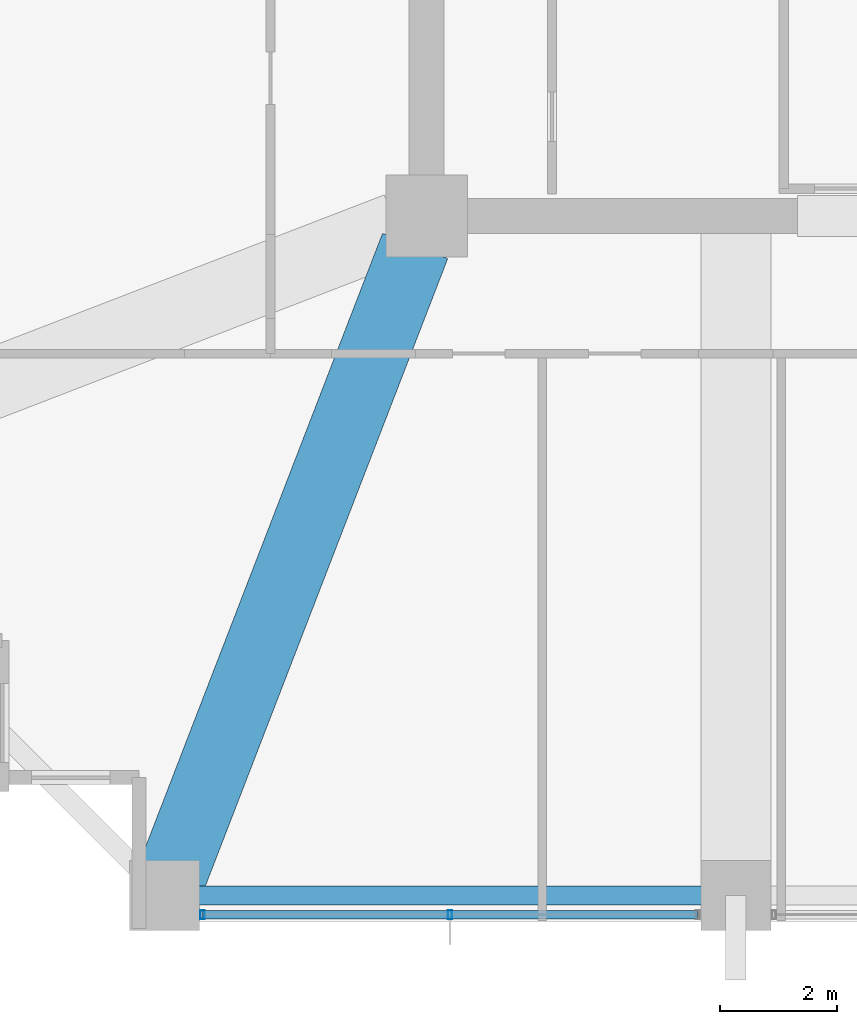
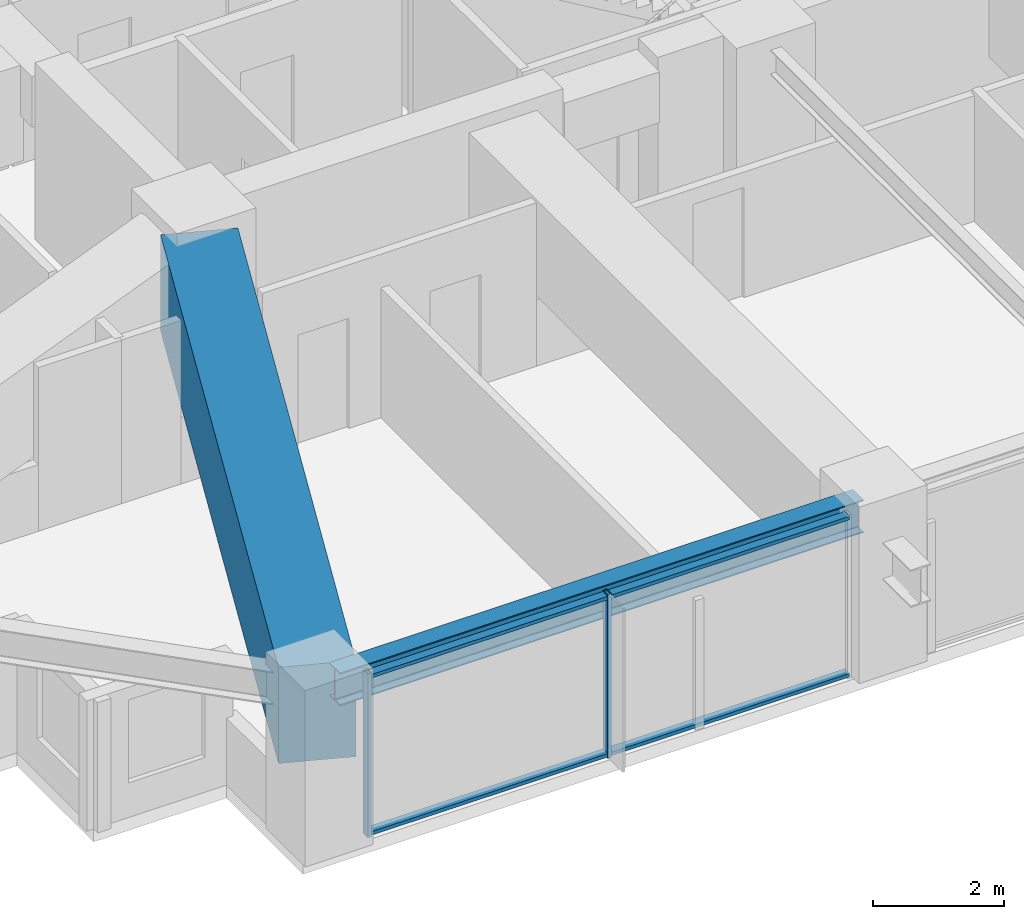
# One storey, part 2 of 39: 4 members, 2 beams, 1 element without a shape of its own.
"""IFC4 building model written with IfcOpenShell, lengths in metres."""

from ifc_helpers import new_model, si_unit, direction, frame, origin, origin_2d, place, context, subcontext, project, spatial, rectangle, hollow_rectangle, i_section, extrude, material, material_profile, profile_set, type_object, element, aggregate, save


model = new_model("IFC4")

# Units and contexts
model_context = context("Model", 3, precision=1e-05, world=origin(), true_north=direction((0.0, 1.0)))
body_context = subcontext(model_context, "Body", "Model", "MODEL_VIEW")
ifc_project = project(units=[si_unit("LENGTHUNIT", "METRE"), si_unit("AREAUNIT", "SQUARE_METRE"), si_unit("VOLUMEUNIT", "CUBIC_METRE"), si_unit("PLANEANGLEUNIT", "RADIAN"), si_unit("MASSUNIT", "GRAM", prefix="KILO")], contexts=[model_context])

# Site, building, storey
site_placement = place(None, origin())
site = spatial("IfcSite", under=ifc_project, at=site_placement, CompositionType="ELEMENT")
building_placement = place(site_placement, origin())
building = spatial("IfcBuilding", under=site, at=building_placement, Name="Kolvaren Belvedere", CompositionType="ELEMENT")
storey_placement = place(building_placement, frame((0.0, 0.0, 40.300048828125)))
storey = spatial("IfcBuildingStorey", under=building, at=storey_placement, Name="L11", CompositionType="ELEMENT", Elevation=40.300048828125)

# Beams
ifc_material_1 = material(Name="Structural steel ASTM A992 Grade 50", Category="steel")
ifc_material_profile_1 = material_profile(ifc_material_1, i_section(OverallWidth=0.324951171875, OverallDepth=0.615966796875, WebThickness=0.013916015625, FlangeThickness=0.021484375, FilletRadius=0.02001953125, at=origin_2d()), Name="W24X117")
ifc_profile_set_1 = profile_set([ifc_material_profile_1], Name="Structural steel ASTM A992 Grade 50")
beam_type_1 = type_object("IfcBeamType", Name="BM-SPAN-W24X117", PredefinedType="SPANDREL", material=ifc_profile_set_1)
beam_1_placement = place(storey_placement, frame((-14.1298828125, -21.550048828125, 2.751953125), z_axis=(1.0, 0.0, 0.0), x_axis=(0.0, 1.0, 0.0)))
element("IfcBeam", 1, at=beam_1_placement, inside=storey, type_object=beam_type_1, Name="L11 Perimeter Spandrel S1-S2", PredefinedType="SPANDREL", context=body_context, shape_type="SweptSolid", body=[
    extrude(i_section(OverallWidth=0.324951171875, OverallDepth=0.615966796875, WebThickness=0.013916015625, FlangeThickness=0.021484375, FilletRadius=0.02001953125, at=origin_2d()), origin(), (0.0, 0.0, 1.0), 9.259765625),
])
ifc_material_2 = material(Name="Concrete C50/60", Category="concrete")
ifc_material_profile_2 = material_profile(ifc_material_2, rectangle(XDim=1.199951171875, YDim=1.800048828125, at=origin_2d()), Name="RC 1200X1800")
ifc_profile_set_2 = profile_set([ifc_material_profile_2], Name="Concrete C50/60")
beam_type_2 = type_object("IfcBeamType", Name="BM-TG-1800", PredefinedType="BEAM", material=ifc_profile_set_2)
beam_2_placement = place(storey_placement, frame((-10.09814453125, -10.4130859375, 2.159912109375), z_axis=(-0.360318391835, -0.932829382313, 0.0), x_axis=(0.932829382313, -0.360318391835, 0.0)))
element("IfcBeam", 2, at=beam_2_placement, inside=storey, type_object=beam_type_2, Name="L11 Corner Core-to-Perimeter Girder CC1-S1", PredefinedType="BEAM", context=body_context, shape_type="SweptSolid", body=[
    extrude(rectangle(XDim=1.199951171875, YDim=1.800048828125, at=origin_2d()), origin(), (0.0, 0.0, 1.0), 11.698974609375),
])

# Curtain wall, members
ifc_material_3 = material(Name="Anodised pale-metal aluminium AA 6063-T6", Category="aluminium")
curtain_wall_type = type_object("IfcCurtainWallType", Name="CW-Z1-LOW", PredefinedType="NOTDEFINED", material=ifc_material_3)
curtain_wall_placement = place(storey_placement, origin())
curtain_wall = element("IfcCurtainWall", 3, at=curtain_wall_placement, inside=storey, type_object=curtain_wall_type, Name="L11 Unitised Curtain Wall FCW-L11-S-B3", PredefinedType="NOTDEFINED")
ifc_material_4 = material(Name="Anodised pale-metal aluminium AA 6063-T6", Category="aluminium")
ifc_material_profile_3 = material_profile(ifc_material_4, hollow_rectangle(XDim=0.070068359375, YDim=0.14990234375, WallThickness=0.004150390625, at=origin_2d()), Name="ALU-MUL-150X70")
ifc_profile_set_3 = profile_set([ifc_material_profile_3], Name="Anodised pale-metal aluminium AA 6063-T6")
member_type_1 = type_object("IfcMemberType", Name="CW-MUL-150", PredefinedType="MULLION", material=ifc_profile_set_3)
member_1_placement = place(storey_placement, frame((-9.5, -21.8798828125, 0.0), z_axis=(0.0, 0.0, 1.0), x_axis=(1.0, 0.0, 0.0)))
member_1 = element("IfcMember", 4, at=member_1_placement, type_object=member_type_1, Name="FCW-L11-S-B3 Unitised Mullion 2", PredefinedType="MULLION", context=body_context, shape_type="SweptSolid", body=[
    extrude(hollow_rectangle(XDim=0.070068359375, YDim=0.14990234375, WallThickness=0.004150390625, at=origin_2d()), origin(), (0.0, 0.0, 1.0), 3.06005859375),
])
member_2_placement = place(storey_placement, frame((-13.7451171875, -21.8798828125, 0.0), z_axis=(0.0, 0.0, 1.0), x_axis=(1.0, 0.0, 0.0)))
member_2 = element("IfcMember", 5, at=member_2_placement, type_object=member_type_1, Name="FCW-L11-S-B3 Unitised Mullion 3", PredefinedType="MULLION", context=body_context, shape_type="SweptSolid", body=[
    extrude(hollow_rectangle(XDim=0.070068359375, YDim=0.14990234375, WallThickness=0.004150390625, at=origin_2d()), origin(), (0.0, 0.0, 1.0), 3.06005859375),
])
ifc_material_5 = material(Name="Anodised pale-metal aluminium AA 6063-T6", Category="aluminium")
ifc_material_profile_4 = material_profile(ifc_material_5, hollow_rectangle(XDim=0.06494140625, YDim=0.14990234375, WallThickness=0.00390625, at=origin_2d()), Name="ALU-TRN-150X65")
ifc_profile_set_4 = profile_set([ifc_material_profile_4], Name="Anodised pale-metal aluminium AA 6063-T6")
member_type_2 = type_object("IfcMemberType", Name="CW-TRN-150", PredefinedType="USERDEFINED", material=ifc_profile_set_4)
member_3_placement = place(storey_placement, frame((-5.2548828125, -21.8798828125, 0.06005859375), z_axis=(-1.0, 0.0, 0.0), x_axis=(0.0, 0.0, 1.0)))
member_3 = element("IfcMember", 6, at=member_3_placement, type_object=member_type_2, Name="FCW-L11-S-B3 Sill Transom", ObjectType="TRANSOM", PredefinedType="USERDEFINED", context=body_context, shape_type="SweptSolid", body=[
    extrude(hollow_rectangle(XDim=0.06494140625, YDim=0.14990234375, WallThickness=0.00390625, at=origin_2d()), origin(), (0.0, 0.0, 1.0), 8.490234375),
])
member_4_placement = place(storey_placement, frame((-5.2548828125, -21.8798828125, 3.0), z_axis=(-1.0, 0.0, 0.0), x_axis=(0.0, 0.0, 1.0)))
member_4 = element("IfcMember", 7, at=member_4_placement, type_object=member_type_2, Name="FCW-L11-S-B3 Head Transom", ObjectType="TRANSOM", PredefinedType="USERDEFINED", context=body_context, shape_type="SweptSolid", body=[
    extrude(hollow_rectangle(XDim=0.06494140625, YDim=0.14990234375, WallThickness=0.00390625, at=origin_2d()), origin(), (0.0, 0.0, 1.0), 8.490234375),
])
aggregate(curtain_wall, [member_1, member_2, member_3, member_4])

save(model, "model.ifc")
